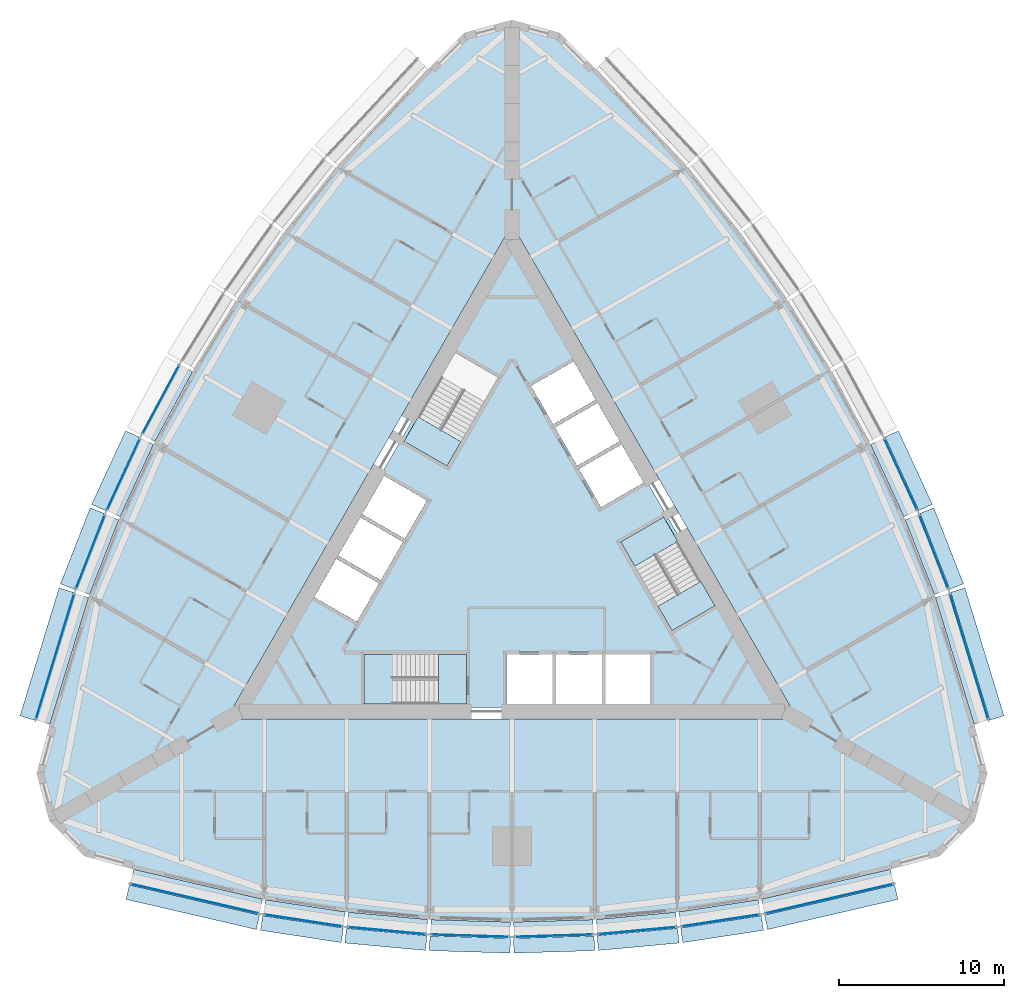
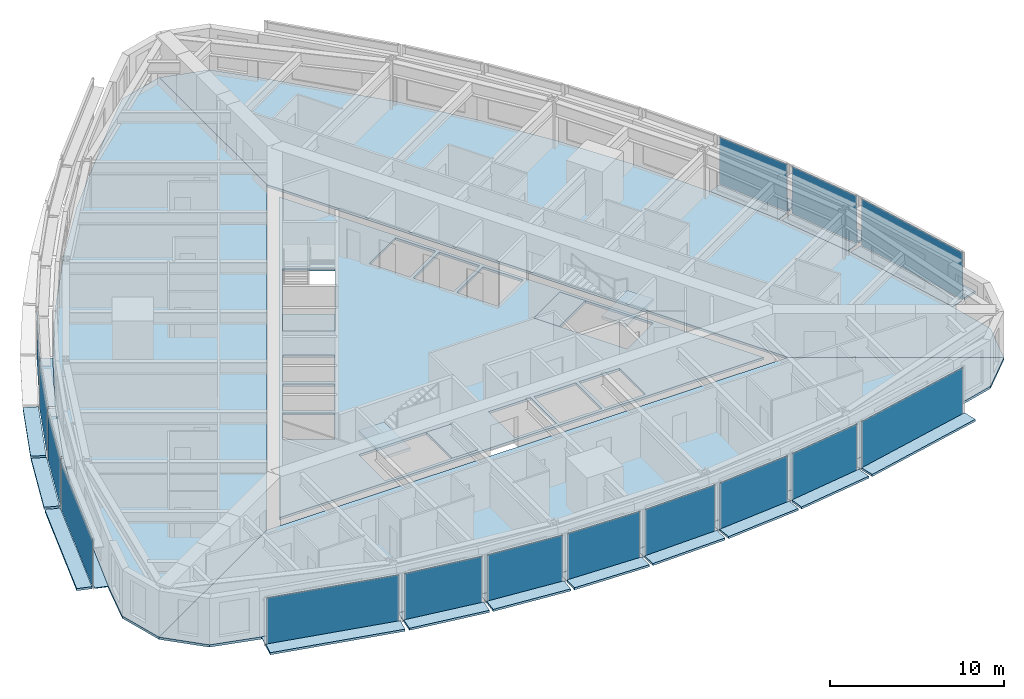
# One storey, part 6 of 14: 44 plates, 9 slabs, 18 elements without a shape of their own.
"""IFC4 building model written with IfcOpenShell, lengths in metres."""

from ifc_helpers import new_model, si_unit, direction, frame, origin, origin_2d, place, context, subcontext, project, spatial, polyline, rectangle, outline, extrude, material, layer, layer_set, type_object, element, aggregate, save


model = new_model("IFC4")

# Units and contexts
model_context = context("Model", 3, precision=1e-05, world=origin(), true_north=direction((0.0, 1.0)))
body_context = subcontext(model_context, "Body", "Model", "MODEL_VIEW")
ifc_project = project(units=[si_unit("LENGTHUNIT", "METRE"), si_unit("AREAUNIT", "SQUARE_METRE"), si_unit("VOLUMEUNIT", "CUBIC_METRE"), si_unit("PLANEANGLEUNIT", "RADIAN"), si_unit("MASSUNIT", "GRAM", prefix="KILO")], contexts=[model_context])

# Site, building, storey
site_placement = place(None, origin())
site = spatial("IfcSite", under=ifc_project, at=site_placement, CompositionType="ELEMENT")
building_placement = place(site_placement, origin())
building = spatial("IfcBuilding", under=site, at=building_placement, Name="Trikona Tower", CompositionType="ELEMENT")
storey_placement = place(building_placement, frame((0.0, 0.0, 59.10009765625)))
storey = spatial("IfcBuildingStorey", under=building, at=storey_placement, Name="L14", CompositionType="ELEMENT", Elevation=59.10009765625)

# Plates
ifc_material_1 = material(Name="Aluminium bar grating", Category="aluminium")
ifc_layer_1 = layer(ifc_material_1, 0.050048828125)
ifc_layer_set_1 = layer_set([ifc_layer_1], Name="Cavity catwalk grating")
plate_type_1 = type_object("IfcPlateType", Name="Cavity catwalk grating", PredefinedType="USERDEFINED", material=ifc_layer_set_1)
plate_1_placement = place(storey_placement, frame((-19.09228515625, -20.377197265625, -0.05029296875), z_axis=(0.0, 0.0, 1.0), x_axis=(0.974277718622, -0.225350675607, 0.0)))
element("IfcPlate", 1, at=plate_1_placement, inside=storey, type_object=plate_type_1, Name="Cavity catwalk L14-00", ObjectType="CATWALK GRATING", PredefinedType="USERDEFINED", context=body_context, shape_type="SweptSolid", body=[
    extrude(rectangle(XDim=8.01123046875, YDim=0.820068359375, at=origin_2d()), origin(), (0.0, 0.0, 1.0), 0.050048828125),
])
plate_2_placement = place(storey_placement, frame((-12.561767578125, -21.688720703125, -0.05029296875), z_axis=(0.0, 0.0, 1.0), x_axis=(0.988617896768, -0.150448177754, 0.0)))
element("IfcPlate", 2, at=plate_2_placement, inside=storey, type_object=plate_type_1, Name="Cavity catwalk L14-01", ObjectType="CATWALK GRATING", PredefinedType="USERDEFINED", context=body_context, shape_type="SweptSolid", body=[
    extrude(rectangle(XDim=4.857666015625, YDim=0.820068359375, at=origin_2d()), origin(), (0.0, 0.0, 1.0), 0.050048828125),
])
plate_3_placement = place(storey_placement, frame((-7.537353515625, -22.300537109375, -0.05029296875), z_axis=(0.0, 0.0, 1.0), x_axis=(0.995858098326, -0.090921108655, 0.0)))
element("IfcPlate", 3, at=plate_3_placement, inside=storey, type_object=plate_type_1, Name="Cavity catwalk L14-02", ObjectType="CATWALK GRATING", PredefinedType="USERDEFINED", context=body_context, shape_type="SweptSolid", body=[
    extrude(rectangle(XDim=4.82080078125, YDim=0.820068359375, at=origin_2d()), origin(), (0.0, 0.0, 1.0), 0.050048828125),
])
for number, where, z_axis, x_axis, name in (
    (4, (-2.512451171875, -22.606201171875, -0.05029296875), (0.0, 0.0, 1.0), (0.999537048889, -0.030425119525, 0.0), "Cavity catwalk L14-03"),
    (5, (2.512451171875, -22.606201171875, -0.05029296875), (0.0, 0.0, 1.0), (0.999537048889, 0.030425119525, 0.0), "Cavity catwalk L14-04"),
):
    element("IfcPlate", number, at=place(storey_placement, frame(where, z_axis=z_axis, x_axis=x_axis)), inside=storey, type_object=plate_type_1, Name=name, ObjectType="CATWALK GRATING", PredefinedType="USERDEFINED", context=body_context, shape_type="SweptSolid", body=[
        extrude(rectangle(XDim=4.80224609375, YDim=0.820068359375, at=origin_2d()), origin(), (0.0, 0.0, 1.0), 0.050048828125),
    ])
plate_4_placement = place(storey_placement, frame((7.537353515625, -22.300537109375, -0.05029296875), z_axis=(0.0, 0.0, 1.0), x_axis=(0.995858098326, 0.090921108655, 0.0)))
element("IfcPlate", 6, at=plate_4_placement, inside=storey, type_object=plate_type_1, Name="Cavity catwalk L14-05", ObjectType="CATWALK GRATING", PredefinedType="USERDEFINED", context=body_context, shape_type="SweptSolid", body=[
    extrude(rectangle(XDim=4.82080078125, YDim=0.820068359375, at=origin_2d()), origin(), (0.0, 0.0, 1.0), 0.050048828125),
])
plate_5_placement = place(storey_placement, frame((12.561767578125, -21.688720703125, -0.05029296875), z_axis=(0.0, 0.0, 1.0), x_axis=(0.988617896768, 0.150448177754, 0.0)))
element("IfcPlate", 7, at=plate_5_placement, inside=storey, type_object=plate_type_1, Name="Cavity catwalk L14-06", ObjectType="CATWALK GRATING", PredefinedType="USERDEFINED", context=body_context, shape_type="SweptSolid", body=[
    extrude(rectangle(XDim=4.857666015625, YDim=0.820068359375, at=origin_2d()), origin(), (0.0, 0.0, 1.0), 0.050048828125),
])
for number, where, z_axis, x_axis, name in (
    (8, (19.09228515625, -20.377197265625, -0.05029296875), (0.0, 0.0, 1.0), (0.974277718622, 0.225350675607, 0.0), "Cavity catwalk L14-07"),
    (9, (27.193359375, -6.345947265625, -0.05029296875), (0.0, 0.0, 1.0), (-0.291979449475, 0.956424592471, 0.0), "Cavity catwalk L14-12"),
):
    element("IfcPlate", number, at=place(storey_placement, frame(where, z_axis=z_axis, x_axis=x_axis)), inside=storey, type_object=plate_type_1, Name=name, ObjectType="CATWALK GRATING", PredefinedType="USERDEFINED", context=body_context, shape_type="SweptSolid", body=[
        extrude(rectangle(XDim=8.01123046875, YDim=0.820068359375, at=origin_2d()), origin(), (0.0, 0.0, 1.0), 0.050048828125),
    ])
plate_6_placement = place(storey_placement, frame((25.06396484375, -0.034423828125, -0.05029296875), z_axis=(0.0, 0.0, 1.0), x_axis=(-0.364008876551, 0.931395478726, 0.0)))
element("IfcPlate", 10, at=plate_6_placement, inside=storey, type_object=plate_type_1, Name="Cavity catwalk L14-13", ObjectType="CATWALK GRATING", PredefinedType="USERDEFINED", context=body_context, shape_type="SweptSolid", body=[
    extrude(rectangle(XDim=4.857666015625, YDim=0.820068359375, at=origin_2d()), origin(), (0.0, 0.0, 1.0), 0.050048828125),
])
plate_7_placement = place(storey_placement, frame((23.081298828125, 4.622802734375, -0.05029296875), z_axis=(0.0, 0.0, 1.0), x_axis=(-0.41919381307, 0.907896771161, 0.0)))
element("IfcPlate", 11, at=plate_7_placement, inside=storey, type_object=plate_type_1, Name="Cavity catwalk L14-14", ObjectType="CATWALK GRATING", PredefinedType="USERDEFINED", context=body_context, shape_type="SweptSolid", body=[
    extrude(rectangle(XDim=4.82080078125, YDim=0.820068359375, at=origin_2d()), origin(), (0.0, 0.0, 1.0), 0.050048828125),
])
plate_8_placement = place(storey_placement, frame((-20.833740234375, 9.127197265625, -0.05029296875), z_axis=(0.0, 0.0, 1.0), x_axis=(-0.473422672721, -0.880835383572, 0.0)))
element("IfcPlate", 12, at=plate_8_placement, inside=storey, type_object=plate_type_1, Name="Cavity catwalk L14-28", ObjectType="CATWALK GRATING", PredefinedType="USERDEFINED", context=body_context, shape_type="SweptSolid", body=[
    extrude(rectangle(XDim=4.80224609375, YDim=0.820068359375, at=origin_2d()), origin(), (0.0, 0.0, 1.0), 0.050048828125),
])
plate_9_placement = place(storey_placement, frame((-23.081298828125, 4.622802734375, -0.05029296875), z_axis=(0.0, 0.0, 1.0), x_axis=(-0.41919381307, -0.907896771161, 0.0)))
element("IfcPlate", 13, at=plate_9_placement, inside=storey, type_object=plate_type_1, Name="Cavity catwalk L14-29", ObjectType="CATWALK GRATING", PredefinedType="USERDEFINED", context=body_context, shape_type="SweptSolid", body=[
    extrude(rectangle(XDim=4.82080078125, YDim=0.820068359375, at=origin_2d()), origin(), (0.0, 0.0, 1.0), 0.050048828125),
])
plate_10_placement = place(storey_placement, frame((-25.06396484375, -0.034423828125, -0.05029296875), z_axis=(0.0, 0.0, 1.0), x_axis=(-0.364008876551, -0.931395478726, 0.0)))
element("IfcPlate", 14, at=plate_10_placement, inside=storey, type_object=plate_type_1, Name="Cavity catwalk L14-30", ObjectType="CATWALK GRATING", PredefinedType="USERDEFINED", context=body_context, shape_type="SweptSolid", body=[
    extrude(rectangle(XDim=4.857666015625, YDim=0.820068359375, at=origin_2d()), origin(), (0.0, 0.0, 1.0), 0.050048828125),
])
plate_11_placement = place(storey_placement, frame((-27.193359375, -6.345947265625, -0.05029296875), z_axis=(0.0, 0.0, 1.0), x_axis=(-0.291979449475, -0.956424592471, 0.0)))
element("IfcPlate", 15, at=plate_11_placement, inside=storey, type_object=plate_type_1, Name="Cavity catwalk L14-31", ObjectType="CATWALK GRATING", PredefinedType="USERDEFINED", context=body_context, shape_type="SweptSolid", body=[
    extrude(rectangle(XDim=8.01123046875, YDim=0.820068359375, at=origin_2d()), origin(), (0.0, 0.0, 1.0), 0.050048828125),
])

# Slabs
ifc_material_2 = material(Name="Concrete f'c 5000 psi lightweight on composite steel deck", Category="concrete")
ifc_layer_2 = layer(ifc_material_2, 0.1650390625)
ifc_layer_set_2 = layer_set([ifc_layer_2], Name="Composite floor slab 165")
slab_type_1 = type_object("IfcSlabType", Name="Composite floor slab 165", PredefinedType="FLOOR", material=ifc_layer_set_2)
slab_1_placement = place(storey_placement, frame((0.0, 0.0, -0.1650390625)))
element("IfcSlab", 16, at=slab_1_placement, inside=storey, type_object=slab_type_1, Name="Floor slab L14 core", PredefinedType="FLOOR", context=body_context, shape_type="SweptSolid", body=[
    extrude(outline(polyline([(-16.06689453125, -9.2763671875), (16.06689453125, -9.2763671875), (0.0, 18.552490234375), (-16.06689453125, -9.2763671875)]), holes=[polyline([(12.285400390625, -3.126220703125), (9.185302734375, 2.2431640625), (6.587158203125, 0.7431640625), (9.687255859375, -4.626220703125), (12.285400390625, -3.126220703125)]), polyline([(8.340087890625, -9.06640625), (8.340087890625, -6.086181640625), (5.659912109375, -6.086181640625), (5.659912109375, -9.06640625), (8.340087890625, -9.06640625)]), polyline([(5.390869140625, 2.835205078125), (7.9716796875, 4.3251953125), (6.631591796875, 6.646240234375), (4.05078125, 5.15625), (5.390869140625, 2.835205078125)]), polyline([(2.600830078125, 7.667724609375), (3.94091796875, 5.3466796875), (6.521484375, 6.8369140625), (5.181640625, 9.15771484375), (2.600830078125, 7.667724609375)]), polyline([(5.43994140625, -6.086181640625), (2.659912109375, -6.086181640625), (2.659912109375, -9.06640625), (5.43994140625, -9.06640625), (5.43994140625, -6.086181640625)]), polyline([(3.731689453125, 11.669189453125), (1.15087890625, 10.17919921875), (2.490966796875, 7.858154296875), (5.071533203125, 9.34814453125), (3.731689453125, 11.669189453125)]), polyline([(-0.340087890625, -6.086181640625), (-0.340087890625, -9.06640625), (2.43994140625, -9.06640625), (2.43994140625, -6.086181640625), (-0.340087890625, -6.086181640625)]), polyline([(-3.435302734375, 12.202392578125), (-6.535400390625, 6.8330078125), (-3.937255859375, 5.3330078125), (-0.837158203125, 10.702392578125), (-3.435302734375, 12.202392578125)]), polyline([(-8.949951171875, -9.076416015625), (-2.75, -9.076416015625), (-2.75, -6.076416015625), (-8.949951171875, -6.076416015625), (-8.949951171875, -9.076416015625)]), polyline([(-5.15087890625, 3.2509765625), (-7.731689453125, 4.740966796875), (-9.071533203125, 2.419921875), (-6.490966796875, 0.929931640625), (-5.15087890625, 3.2509765625)]), polyline([(-7.94091796875, -1.581298828125), (-6.600830078125, 0.739501953125), (-9.181640625, 2.2294921875), (-10.521484375, -0.09130859375), (-7.94091796875, -1.581298828125)]), polyline([(-11.9716796875, -2.602783203125), (-9.390869140625, -4.093017578125), (-8.05078125, -1.77197265625), (-10.631591796875, -0.281982421875), (-11.9716796875, -2.602783203125)])]), origin(), (0.0, 0.0, 1.0), 0.1650390625),
])
slab_2_placement = place(storey_placement, frame((0.0, 0.0, -0.1650390625)))
element("IfcSlab", 17, at=slab_2_placement, inside=storey, type_object=slab_type_1, Name="Floor slab L14 south", PredefinedType="FLOOR", context=body_context, shape_type="SweptSolid", body=[
    extrude(outline(polyline([(25.88671875, -18.279052734375), (28.0, -16.165771484375), (17.279296875, -9.976318359375), (-17.279296875, -9.976318359375), (-28.0, -16.165771484375), (-25.88671875, -18.279052734375), (-23.0, -19.052490234375), (-15.0, -20.903076171875), (-10.0, -21.663818359375), (-5.0, -22.120361328125), (0.0, -22.272705078125), (5.0, -22.120361328125), (10.0, -21.663818359375), (15.0, -20.903076171875), (23.0, -19.052490234375), (25.88671875, -18.279052734375)])), origin(), (0.0, 0.0, 1.0), 0.1650390625),
])
slab_3_placement = place(storey_placement, frame((0.0, 0.0, -0.1650390625)))
element("IfcSlab", 18, at=slab_3_placement, inside=storey, type_object=slab_type_1, Name="Floor slab L14 north-east", PredefinedType="FLOOR", context=body_context, shape_type="SweptSolid", body=[
    extrude(outline(polyline([(2.88671875, 31.55810546875), (0.0, 32.33154296875), (0.0, 19.95263671875), (17.279296875, -9.976318359375), (28.0, -16.165771484375), (28.7734375, -13.279052734375), (28.0, -10.392333984375), (25.6025390625, -2.538818359375), (23.761474609375, 2.171630859375), (21.65673828125, 6.72998046875), (19.28857421875, 11.13623046875), (16.65673828125, 15.390380859375), (13.761474609375, 19.4921875), (10.6025390625, 23.44189453125), (5.0, 29.44482421875), (2.88671875, 31.55810546875)])), origin(), (0.0, 0.0, 1.0), 0.1650390625),
])
slab_4_placement = place(storey_placement, frame((0.0, 0.0, -0.1650390625)))
element("IfcSlab", 19, at=slab_4_placement, inside=storey, type_object=slab_type_1, Name="Floor slab L14 north-west", PredefinedType="FLOOR", context=body_context, shape_type="SweptSolid", body=[
    extrude(outline(polyline([(0.0, 19.95263671875), (0.0, 32.33154296875), (-2.88671875, 31.55810546875), (-5.0, 29.44482421875), (-10.6025390625, 23.44189453125), (-13.761474609375, 19.4921875), (-16.65673828125, 15.390380859375), (-19.28857421875, 11.13623046875), (-21.65673828125, 6.72998046875), (-23.761474609375, 2.171630859375), (-25.6025390625, -2.538818359375), (-28.0, -10.392333984375), (-28.7734375, -13.279052734375), (-28.0, -16.165771484375), (-17.279296875, -9.976318359375), (0.0, 19.95263671875)])), origin(), (0.0, 0.0, 1.0), 0.1650390625),
])

# Curtain wall, plate
ifc_material_3 = material(Name="Aluminium curtain wall system", Category="aluminium")
curtain_wall_type = type_object("IfcCurtainWallType", Name="Curtain wall DS1", PredefinedType="NOTDEFINED", material=ifc_material_3)
curtain_wall_1_placement = place(storey_placement, origin())
curtain_wall_1 = element("IfcCurtainWall", 20, at=curtain_wall_1_placement, inside=storey, type_object=curtain_wall_type, Name="Curtain wall DS1 L14", PredefinedType="NOTDEFINED")
ifc_material_4 = material(Name="Laminated clear glass", Category="glass")
ifc_layer_3 = layer(ifc_material_4, 0.028076171875)
ifc_layer_set_3 = layer_set([ifc_layer_3], Name="Glass panel DS1")
plate_type_2 = type_object("IfcPlateType", Name="Glass panel DS1", PredefinedType="CURTAIN_PANEL", material=ifc_layer_set_3)
plate_12_placement = place(storey_placement, frame((-19.202880859375, -20.854736328125, 0.0), z_axis=(0.0, 0.0, 1.0), x_axis=(0.974279427173, -0.225343288756, 0.0)))
plate_12 = element("IfcPlate", 21, at=plate_12_placement, type_object=plate_type_2, Name="CW-DS1 panel 1.1", PredefinedType="CURTAIN_PANEL", context=body_context, shape_type="SweptSolid", body=[
    extrude(rectangle(XDim=7.93115234375, YDim=0.028076171875, at=origin_2d()), origin(), (0.0, 0.0, 1.0), 3.320068359375),
])
aggregate(curtain_wall_1, [plate_12])

curtain_wall_2_placement = place(storey_placement, origin())
curtain_wall_2 = element("IfcCurtainWall", 22, at=curtain_wall_2_placement, inside=storey, type_object=curtain_wall_type, Name="Curtain wall DS1 L14", PredefinedType="NOTDEFINED")
plate_13_placement = place(storey_placement, frame((-12.635498046875, -22.173095703125, 0.0), z_axis=(0.0, 0.0, 1.0), x_axis=(0.988619492156, -0.150437693845, 0.0)))
plate_13 = element("IfcPlate", 23, at=plate_13_placement, type_object=plate_type_2, Name="CW-DS1 panel 1.1", PredefinedType="CURTAIN_PANEL", context=body_context, shape_type="SweptSolid", body=[
    extrude(rectangle(XDim=4.777587890625, YDim=0.028076171875, at=origin_2d()), origin(), (0.0, 0.0, 1.0), 3.320068359375),
])
aggregate(curtain_wall_2, [plate_13])

curtain_wall_3_placement = place(storey_placement, origin())
curtain_wall_3 = element("IfcCurtainWall", 24, at=curtain_wall_3_placement, inside=storey, type_object=curtain_wall_type, Name="Curtain wall DS1 L14", PredefinedType="NOTDEFINED")
plate_14_placement = place(storey_placement, frame((-7.581787109375, -22.788330078125, 0.0), z_axis=(0.0, 0.0, 1.0), x_axis=(0.995857840485, -0.090923932737, 0.0)))
plate_14 = element("IfcPlate", 25, at=plate_14_placement, type_object=plate_type_2, Name="CW-DS1 panel 1.1", PredefinedType="CURTAIN_PANEL", context=body_context, shape_type="SweptSolid", body=[
    extrude(rectangle(XDim=4.74072265625, YDim=0.028076171875, at=origin_2d()), origin(), (0.0, 0.0, 1.0), 3.320068359375),
])
aggregate(curtain_wall_3, [plate_14])

curtain_wall_4_placement = place(storey_placement, origin())
curtain_wall_4 = element("IfcCurtainWall", 26, at=curtain_wall_4_placement, inside=storey, type_object=curtain_wall_type, Name="Curtain wall DS1 L14", PredefinedType="NOTDEFINED")
plate_15_placement = place(storey_placement, frame((-2.52734375, -23.09619140625, 0.0), z_axis=(0.0, 0.0, 1.0), x_axis=(0.999536695965, -0.030436711692, 0.0)))
plate_15 = element("IfcPlate", 27, at=plate_15_placement, type_object=plate_type_2, Name="CW-DS1 panel 1.1", PredefinedType="CURTAIN_PANEL", context=body_context, shape_type="SweptSolid", body=[
    extrude(rectangle(XDim=4.72216796875, YDim=0.028076171875, at=origin_2d()), origin(), (0.0, 0.0, 1.0), 3.320068359375),
])
aggregate(curtain_wall_4, [plate_15])

curtain_wall_5_placement = place(storey_placement, origin())
curtain_wall_5 = element("IfcCurtainWall", 28, at=curtain_wall_5_placement, inside=storey, type_object=curtain_wall_type, Name="Curtain wall DS1 L14", PredefinedType="NOTDEFINED")
plate_16_placement = place(storey_placement, frame((2.52734375, -23.09619140625, 0.0), z_axis=(0.0, 0.0, 1.0), x_axis=(0.999536695965, 0.030436711692, 0.0)))
plate_16 = element("IfcPlate", 29, at=plate_16_placement, type_object=plate_type_2, Name="CW-DS1 panel 1.1", PredefinedType="CURTAIN_PANEL", context=body_context, shape_type="SweptSolid", body=[
    extrude(rectangle(XDim=4.72216796875, YDim=0.028076171875, at=origin_2d()), origin(), (0.0, 0.0, 1.0), 3.320068359375),
])
aggregate(curtain_wall_5, [plate_16])

curtain_wall_6_placement = place(storey_placement, origin())
curtain_wall_6 = element("IfcCurtainWall", 30, at=curtain_wall_6_placement, inside=storey, type_object=curtain_wall_type, Name="Curtain wall DS1 L14", PredefinedType="NOTDEFINED")
plate_17_placement = place(storey_placement, frame((7.581787109375, -22.788330078125, 0.0), z_axis=(0.0, 0.0, 1.0), x_axis=(0.995857840485, 0.090923932737, 0.0)))
plate_17 = element("IfcPlate", 31, at=plate_17_placement, type_object=plate_type_2, Name="CW-DS1 panel 1.1", PredefinedType="CURTAIN_PANEL", context=body_context, shape_type="SweptSolid", body=[
    extrude(rectangle(XDim=4.74072265625, YDim=0.028076171875, at=origin_2d()), origin(), (0.0, 0.0, 1.0), 3.320068359375),
])
aggregate(curtain_wall_6, [plate_17])

curtain_wall_7_placement = place(storey_placement, origin())
curtain_wall_7 = element("IfcCurtainWall", 32, at=curtain_wall_7_placement, inside=storey, type_object=curtain_wall_type, Name="Curtain wall DS1 L14", PredefinedType="NOTDEFINED")
plate_18_placement = place(storey_placement, frame((12.635498046875, -22.173095703125, 0.0), z_axis=(0.0, 0.0, 1.0), x_axis=(0.988619492156, 0.150437693845, 0.0)))
plate_18 = element("IfcPlate", 33, at=plate_18_placement, type_object=plate_type_2, Name="CW-DS1 panel 1.1", PredefinedType="CURTAIN_PANEL", context=body_context, shape_type="SweptSolid", body=[
    extrude(rectangle(XDim=4.777587890625, YDim=0.028076171875, at=origin_2d()), origin(), (0.0, 0.0, 1.0), 3.320068359375),
])
aggregate(curtain_wall_7, [plate_18])

curtain_wall_8_placement = place(storey_placement, origin())
curtain_wall_8 = element("IfcCurtainWall", 34, at=curtain_wall_8_placement, inside=storey, type_object=curtain_wall_type, Name="Curtain wall DS1 L14", PredefinedType="NOTDEFINED")
plate_19_placement = place(storey_placement, frame((19.202880859375, -20.854736328125, 0.0), z_axis=(0.0, 0.0, 1.0), x_axis=(0.974279427173, 0.225343288756, 0.0)))
plate_19 = element("IfcPlate", 35, at=plate_19_placement, type_object=plate_type_2, Name="CW-DS1 panel 1.1", PredefinedType="CURTAIN_PANEL", context=body_context, shape_type="SweptSolid", body=[
    extrude(rectangle(XDim=7.93115234375, YDim=0.028076171875, at=origin_2d()), origin(), (0.0, 0.0, 1.0), 3.320068359375),
])
aggregate(curtain_wall_8, [plate_19])

curtain_wall_9_placement = place(storey_placement, origin())
curtain_wall_9 = element("IfcCurtainWall", 36, at=curtain_wall_9_placement, inside=storey, type_object=curtain_wall_type, Name="Curtain wall DS1 L14", PredefinedType="NOTDEFINED")
plate_20_placement = place(storey_placement, frame((27.662109375, -6.202880859375, 0.0), z_axis=(0.0, 0.0, 1.0), x_axis=(-0.291984287868, 0.956423115383, 0.0)))
plate_20 = element("IfcPlate", 37, at=plate_20_placement, type_object=plate_type_2, Name="CW-DS1 panel 1.1", PredefinedType="CURTAIN_PANEL", context=body_context, shape_type="SweptSolid", body=[
    extrude(rectangle(XDim=7.93115234375, YDim=0.028076171875, at=origin_2d()), origin(), (0.0, 0.0, 1.0), 3.320068359375),
])
aggregate(curtain_wall_9, [plate_20])

curtain_wall_10_placement = place(storey_placement, origin())
curtain_wall_10 = element("IfcCurtainWall", 38, at=curtain_wall_10_placement, inside=storey, type_object=curtain_wall_type, Name="Curtain wall DS1 L14", PredefinedType="NOTDEFINED")
plate_21_placement = place(storey_placement, frame((25.520263671875, 0.14404296875, 0.0), z_axis=(0.0, 0.0, 1.0), x_axis=(-0.36400756977, 0.931395989443, 0.0)))
plate_21 = element("IfcPlate", 39, at=plate_21_placement, type_object=plate_type_2, Name="CW-DS1 panel 1.1", PredefinedType="CURTAIN_PANEL", context=body_context, shape_type="SweptSolid", body=[
    extrude(rectangle(XDim=4.777587890625, YDim=0.028076171875, at=origin_2d()), origin(), (0.0, 0.0, 1.0), 3.320068359375),
])
aggregate(curtain_wall_10, [plate_21])

curtain_wall_11_placement = place(storey_placement, origin())
curtain_wall_11 = element("IfcCurtainWall", 40, at=curtain_wall_11_placement, inside=storey, type_object=curtain_wall_type, Name="Curtain wall DS1 L14", PredefinedType="NOTDEFINED")
plate_22_placement = place(storey_placement, frame((23.5263671875, 4.828125, 0.0), z_axis=(0.0, 0.0, 1.0), x_axis=(-0.419190155352, 0.907898459992, 0.0)))
plate_22 = element("IfcPlate", 41, at=plate_22_placement, type_object=plate_type_2, Name="CW-DS1 panel 1.1", PredefinedType="CURTAIN_PANEL", context=body_context, shape_type="SweptSolid", body=[
    extrude(rectangle(XDim=4.740966796875, YDim=0.028076171875, at=origin_2d()), origin(), (0.0, 0.0, 1.0), 3.320068359375),
])
aggregate(curtain_wall_11, [plate_22])

curtain_wall_12_placement = place(storey_placement, origin())
curtain_wall_12 = element("IfcCurtainWall", 42, at=curtain_wall_12_placement, inside=storey, type_object=curtain_wall_type, Name="Curtain wall DS1 L14", PredefinedType="NOTDEFINED")
plate_23_placement = place(storey_placement, frame((-21.265380859375, 9.359130859375, 0.0), z_axis=(0.0, 0.0, 1.0), x_axis=(-0.473408350896, -0.880843080975, 0.0)))
plate_23 = element("IfcPlate", 43, at=plate_23_placement, type_object=plate_type_2, Name="CW-DS1 panel 1.1", PredefinedType="CURTAIN_PANEL", context=body_context, shape_type="SweptSolid", body=[
    extrude(rectangle(XDim=4.72216796875, YDim=0.028076171875, at=origin_2d()), origin(), (0.0, 0.0, 1.0), 3.320068359375),
])
aggregate(curtain_wall_12, [plate_23])

curtain_wall_13_placement = place(storey_placement, origin())
curtain_wall_13 = element("IfcCurtainWall", 44, at=curtain_wall_13_placement, inside=storey, type_object=curtain_wall_type, Name="Curtain wall DS1 L14", PredefinedType="NOTDEFINED")
plate_24_placement = place(storey_placement, frame((-23.5263671875, 4.828125, 0.0), z_axis=(0.0, 0.0, 1.0), x_axis=(-0.419190155352, -0.907898459992, 0.0)))
plate_24 = element("IfcPlate", 45, at=plate_24_placement, type_object=plate_type_2, Name="CW-DS1 panel 1.1", PredefinedType="CURTAIN_PANEL", context=body_context, shape_type="SweptSolid", body=[
    extrude(rectangle(XDim=4.740966796875, YDim=0.028076171875, at=origin_2d()), origin(), (0.0, 0.0, 1.0), 3.320068359375),
])
aggregate(curtain_wall_13, [plate_24])

curtain_wall_14_placement = place(storey_placement, origin())
curtain_wall_14 = element("IfcCurtainWall", 46, at=curtain_wall_14_placement, inside=storey, type_object=curtain_wall_type, Name="Curtain wall DS1 L14", PredefinedType="NOTDEFINED")
plate_25_placement = place(storey_placement, frame((-25.520263671875, 0.14404296875, 0.0), z_axis=(0.0, 0.0, 1.0), x_axis=(-0.36400756977, -0.931395989443, 0.0)))
plate_25 = element("IfcPlate", 47, at=plate_25_placement, type_object=plate_type_2, Name="CW-DS1 panel 1.1", PredefinedType="CURTAIN_PANEL", context=body_context, shape_type="SweptSolid", body=[
    extrude(rectangle(XDim=4.777587890625, YDim=0.028076171875, at=origin_2d()), origin(), (0.0, 0.0, 1.0), 3.320068359375),
])
aggregate(curtain_wall_14, [plate_25])

curtain_wall_15_placement = place(storey_placement, origin())
curtain_wall_15 = element("IfcCurtainWall", 48, at=curtain_wall_15_placement, inside=storey, type_object=curtain_wall_type, Name="Curtain wall DS1 L14", PredefinedType="NOTDEFINED")
plate_26_placement = place(storey_placement, frame((-27.662109375, -6.202880859375, 0.0), z_axis=(0.0, 0.0, 1.0), x_axis=(-0.291984287868, -0.956423115383, 0.0)))
plate_26 = element("IfcPlate", 49, at=plate_26_placement, type_object=plate_type_2, Name="CW-DS1 panel 1.1", PredefinedType="CURTAIN_PANEL", context=body_context, shape_type="SweptSolid", body=[
    extrude(rectangle(XDim=7.93115234375, YDim=0.028076171875, at=origin_2d()), origin(), (0.0, 0.0, 1.0), 3.320068359375),
])
aggregate(curtain_wall_15, [plate_26])

# Plates
ifc_material_5 = material(Name="Aluminium plate fin, pale anodised, on stainless steel outriggers", Category="steel")
ifc_layer_4 = layer(ifc_material_5, 0.14990234375)
ifc_layer_set_4 = layer_set([ifc_layer_4], Name="Outer skin fin 900")
plate_type_3 = type_object("IfcPlateType", Name="Outer skin fin 900", PredefinedType="USERDEFINED", material=ifc_layer_set_4)
plate_27_placement = place(storey_placement, frame((-19.322265625, -21.37109375, 0.0), z_axis=(0.0, 0.0, 1.0), x_axis=(0.974277718622, -0.225350675607, 0.0)))
element("IfcPlate", 50, at=plate_27_placement, inside=storey, type_object=plate_type_3, Name="Outer skin fin L14-00", ObjectType="FIN", PredefinedType="USERDEFINED", context=body_context, shape_type="SweptSolid", body=[
    extrude(rectangle(XDim=8.09130859375, YDim=0.89990234375, at=origin_2d()), origin(), (0.0, 0.0, 1.0), 0.14990234375),
])
plate_28_placement = place(storey_placement, frame((-12.715087890625, -22.697265625, 0.0), z_axis=(0.0, 0.0, 1.0), x_axis=(0.988617896768, -0.150448177754, 0.0)))
element("IfcPlate", 51, at=plate_28_placement, inside=storey, type_object=plate_type_3, Name="Outer skin fin L14-01", ObjectType="FIN", PredefinedType="USERDEFINED", context=body_context, shape_type="SweptSolid", body=[
    extrude(rectangle(XDim=4.9375, YDim=0.89990234375, at=origin_2d()), origin(), (0.0, 0.0, 1.0), 0.14990234375),
])
plate_29_placement = place(storey_placement, frame((-7.6298828125, -23.316162109375, 0.0), z_axis=(0.0, 0.0, 1.0), x_axis=(0.995858098326, -0.090921108655, 0.0)))
element("IfcPlate", 52, at=plate_29_placement, inside=storey, type_object=plate_type_3, Name="Outer skin fin L14-02", ObjectType="FIN", PredefinedType="USERDEFINED", context=body_context, shape_type="SweptSolid", body=[
    extrude(rectangle(XDim=4.90087890625, YDim=0.89990234375, at=origin_2d()), origin(), (0.0, 0.0, 1.0), 0.14990234375),
])
for number, where, z_axis, x_axis, name in (
    (53, (-2.54345703125, -23.625732421875, 0.0), (0.0, 0.0, 1.0), (0.999537048889, -0.030425119525, 0.0), "Outer skin fin L14-03"),
    (54, (2.54345703125, -23.625732421875, 0.0), (0.0, 0.0, 1.0), (0.999537048889, 0.030425119525, 0.0), "Outer skin fin L14-04"),
):
    element("IfcPlate", number, at=place(storey_placement, frame(where, z_axis=z_axis, x_axis=x_axis)), inside=storey, type_object=plate_type_3, Name=name, ObjectType="FIN", PredefinedType="USERDEFINED", context=body_context, shape_type="SweptSolid", body=[
        extrude(rectangle(XDim=4.88232421875, YDim=0.89990234375, at=origin_2d()), origin(), (0.0, 0.0, 1.0), 0.14990234375),
    ])
plate_30_placement = place(storey_placement, frame((7.6298828125, -23.316162109375, 0.0), z_axis=(0.0, 0.0, 1.0), x_axis=(0.995858098326, 0.090921108655, 0.0)))
element("IfcPlate", 55, at=plate_30_placement, inside=storey, type_object=plate_type_3, Name="Outer skin fin L14-05", ObjectType="FIN", PredefinedType="USERDEFINED", context=body_context, shape_type="SweptSolid", body=[
    extrude(rectangle(XDim=4.90087890625, YDim=0.89990234375, at=origin_2d()), origin(), (0.0, 0.0, 1.0), 0.14990234375),
])
plate_31_placement = place(storey_placement, frame((12.715087890625, -22.697265625, 0.0), z_axis=(0.0, 0.0, 1.0), x_axis=(0.988617896768, 0.150448177754, 0.0)))
element("IfcPlate", 56, at=plate_31_placement, inside=storey, type_object=plate_type_3, Name="Outer skin fin L14-06", ObjectType="FIN", PredefinedType="USERDEFINED", context=body_context, shape_type="SweptSolid", body=[
    extrude(rectangle(XDim=4.9375, YDim=0.89990234375, at=origin_2d()), origin(), (0.0, 0.0, 1.0), 0.14990234375),
])
for number, where, z_axis, x_axis, name in (
    (57, (19.322265625, -21.37109375, 0.0), (0.0, 0.0, 1.0), (0.974277718622, 0.225350675607, 0.0), "Outer skin fin L14-07"),
    (58, (28.1689453125, -6.048095703125, 0.0), (0.0, 0.0, 1.0), (-0.291979449475, 0.956424592471, 0.0), "Outer skin fin L14-12"),
):
    element("IfcPlate", number, at=place(storey_placement, frame(where, z_axis=z_axis, x_axis=x_axis)), inside=storey, type_object=plate_type_3, Name=name, ObjectType="FIN", PredefinedType="USERDEFINED", context=body_context, shape_type="SweptSolid", body=[
        extrude(rectangle(XDim=8.09130859375, YDim=0.89990234375, at=origin_2d()), origin(), (0.0, 0.0, 1.0), 0.14990234375),
    ])
plate_32_placement = place(storey_placement, frame((26.013916015625, 0.3369140625, 0.0), z_axis=(0.0, 0.0, 1.0), x_axis=(-0.364008876551, 0.931395478726, 0.0)))
element("IfcPlate", 59, at=plate_32_placement, inside=storey, type_object=plate_type_3, Name="Outer skin fin L14-13", ObjectType="FIN", PredefinedType="USERDEFINED", context=body_context, shape_type="SweptSolid", body=[
    extrude(rectangle(XDim=4.9375, YDim=0.89990234375, at=origin_2d()), origin(), (0.0, 0.0, 1.0), 0.14990234375),
])
for number, where, z_axis, x_axis, name in (
    (60, (24.00732421875, 5.05029296875, 0.0), (0.0, 0.0, 1.0), (-0.41919381307, 0.907896771161, 0.0), "Outer skin fin L14-14"),
    (61, (-24.00732421875, 5.05029296875, 0.0), (0.0, 0.0, 1.0), (-0.41919381307, -0.907896771161, 0.0), "Outer skin fin L14-29"),
):
    element("IfcPlate", number, at=place(storey_placement, frame(where, z_axis=z_axis, x_axis=x_axis)), inside=storey, type_object=plate_type_3, Name=name, ObjectType="FIN", PredefinedType="USERDEFINED", context=body_context, shape_type="SweptSolid", body=[
        extrude(rectangle(XDim=4.90087890625, YDim=0.89990234375, at=origin_2d()), origin(), (0.0, 0.0, 1.0), 0.14990234375),
    ])
plate_33_placement = place(storey_placement, frame((-26.013916015625, 0.3369140625, 0.0), z_axis=(0.0, 0.0, 1.0), x_axis=(-0.364008876551, -0.931395478726, 0.0)))
element("IfcPlate", 62, at=plate_33_placement, inside=storey, type_object=plate_type_3, Name="Outer skin fin L14-30", ObjectType="FIN", PredefinedType="USERDEFINED", context=body_context, shape_type="SweptSolid", body=[
    extrude(rectangle(XDim=4.9375, YDim=0.89990234375, at=origin_2d()), origin(), (0.0, 0.0, 1.0), 0.14990234375),
])
plate_34_placement = place(storey_placement, frame((-28.1689453125, -6.048095703125, 0.0), z_axis=(0.0, 0.0, 1.0), x_axis=(-0.291979449475, -0.956424592471, 0.0)))
element("IfcPlate", 63, at=plate_34_placement, inside=storey, type_object=plate_type_3, Name="Outer skin fin L14-31", ObjectType="FIN", PredefinedType="USERDEFINED", context=body_context, shape_type="SweptSolid", body=[
    extrude(rectangle(XDim=8.09130859375, YDim=0.89990234375, at=origin_2d()), origin(), (0.0, 0.0, 1.0), 0.14990234375),
])

# Stair, slabs
ifc_material_6 = material(Name="Concrete f'c 5000 psi", Category="concrete")
stair_type = type_object("IfcStairType", Name="Core stair", PredefinedType="HALF_TURN_STAIR", material=ifc_material_6)
stair_1_placement = place(storey_placement, origin())
stair_1 = element("IfcStair", 64, at=stair_1_placement, inside=storey, type_object=stair_type, Name="Stair A L14", PredefinedType="HALF_TURN_STAIR")
ifc_material_7 = material(Name="Concrete f'c 5000 psi", Category="concrete")
ifc_layer_5 = layer(ifc_material_7, 0.199951171875)
ifc_layer_set_5 = layer_set([ifc_layer_5], Name="Stair landing 200")
slab_type_2 = type_object("IfcSlabType", Name="Stair landing 200", PredefinedType="LANDING", material=ifc_layer_set_5)
slab_5_placement = place(storey_placement, frame((0.0, 0.0, -0.2001953125)))
slab_5 = element("IfcSlab", 65, at=slab_5_placement, type_object=slab_type_2, Name="ST-A landing 1", PredefinedType="LANDING", context=body_context, shape_type="SweptSolid", body=[
    extrude(outline(polyline([(-4.452880859375, -6.076416015625), (-2.75, -6.076416015625), (-2.75, -9.076416015625), (-4.452880859375, -9.076416015625), (-4.452880859375, -6.076416015625)])), origin(), (0.0, 0.0, 1.0), 0.2001953125),
])
slab_6_placement = place(storey_placement, frame((0.0, 0.0, 1.5)))
slab_6 = element("IfcSlab", 66, at=slab_6_placement, type_object=slab_type_2, Name="ST-A landing 2", PredefinedType="LANDING", context=body_context, shape_type="SweptSolid", body=[
    extrude(outline(polyline([(-8.949951171875, -6.076416015625), (-7.2470703125, -6.076416015625), (-7.2470703125, -9.076416015625), (-8.949951171875, -9.076416015625), (-8.949951171875, -6.076416015625)])), origin(), (0.0, 0.0, 1.0), 0.199951171875),
])
aggregate(stair_1, [slab_5, slab_6])

stair_2_placement = place(storey_placement, origin())
stair_2 = element("IfcStair", 67, at=stair_2_placement, inside=storey, type_object=stair_type, Name="Stair B L14", PredefinedType="HALF_TURN_STAIR")
slab_7_placement = place(storey_placement, frame((0.0, 0.0, -0.2001953125)))
slab_7 = element("IfcSlab", 68, at=slab_7_placement, type_object=slab_type_2, Name="ST-B landing 1", PredefinedType="LANDING", context=body_context, shape_type="SweptSolid", body=[
    extrude(outline(polyline([(7.438720703125, -0.731689453125), (6.587158203125, 0.7431640625), (9.185302734375, 2.2431640625), (10.036865234375, 0.768310546875), (7.438720703125, -0.731689453125)])), origin(), (0.0, 0.0, 1.0), 0.2001953125),
])
slab_8_placement = place(storey_placement, frame((0.0, 0.0, 1.5)))
slab_8 = element("IfcSlab", 69, at=slab_8_placement, type_object=slab_type_2, Name="ST-B landing 2", PredefinedType="LANDING", context=body_context, shape_type="SweptSolid", body=[
    extrude(outline(polyline([(9.687255859375, -4.626220703125), (8.835693359375, -3.1513671875), (11.433837890625, -1.6513671875), (12.285400390625, -3.126220703125), (9.687255859375, -4.626220703125)])), origin(), (0.0, 0.0, 1.0), 0.199951171875),
])
aggregate(stair_2, [slab_7, slab_8])

# Stair, slab
stair_3_placement = place(storey_placement, origin())
stair_3 = element("IfcStair", 70, at=stair_3_placement, inside=storey, type_object=stair_type, Name="Stair C L14", PredefinedType="HALF_TURN_STAIR")
slab_9_placement = place(storey_placement, frame((0.0, 0.0, -0.2001953125)))
slab_9 = element("IfcSlab", 71, at=slab_9_placement, type_object=slab_type_2, Name="ST-C landing 1", PredefinedType="LANDING", context=body_context, shape_type="SweptSolid", body=[
    extrude(outline(polyline([(-3.085693359375, 6.807861328125), (-3.937255859375, 5.3330078125), (-6.535400390625, 6.8330078125), (-5.683837890625, 8.307861328125), (-3.085693359375, 6.807861328125)])), origin(), (0.0, 0.0, 1.0), 0.2001953125),
])
aggregate(stair_3, [slab_9])

save(model, "model.ifc")
